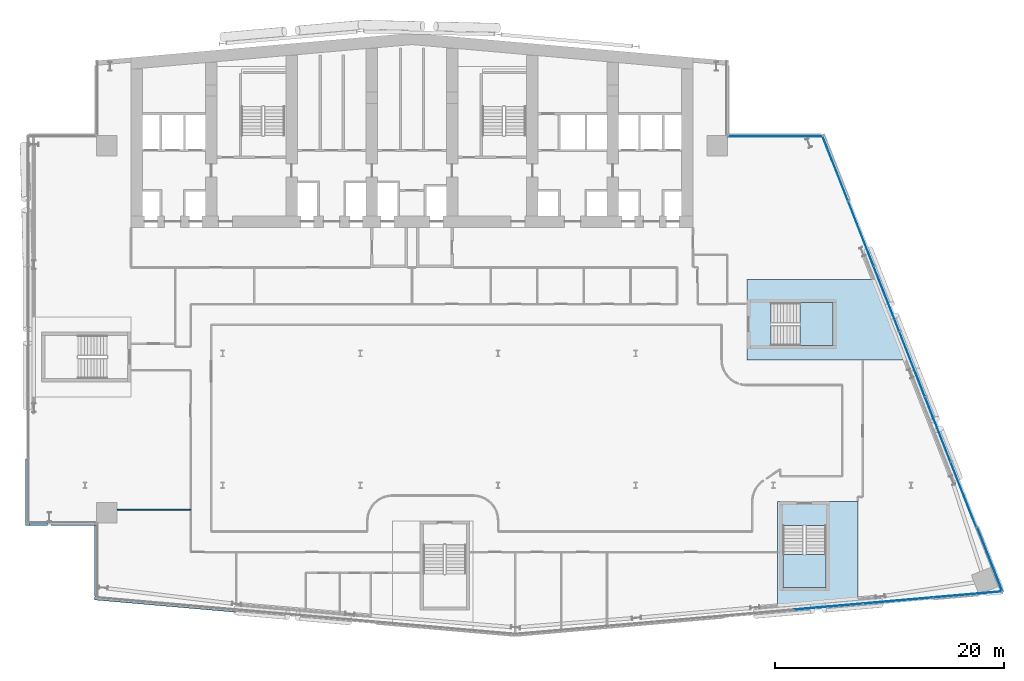
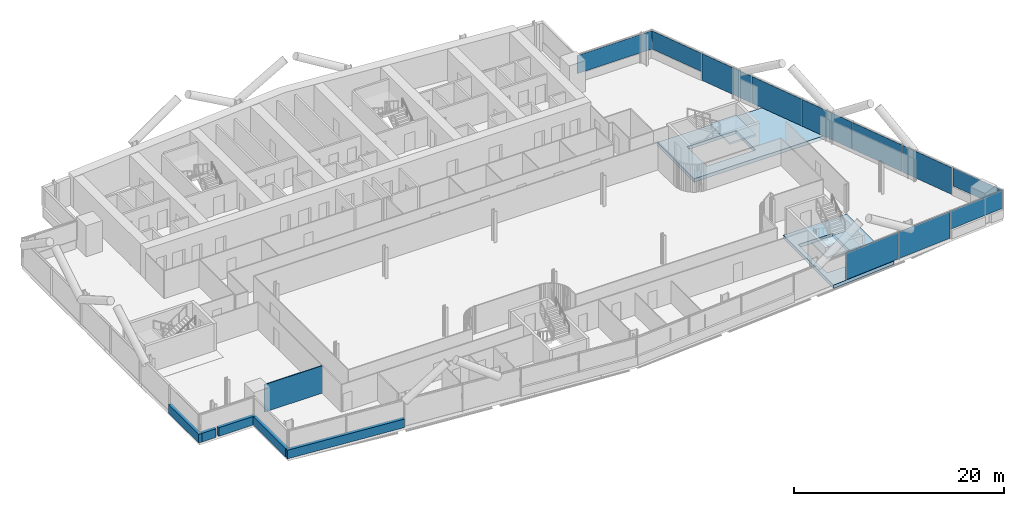
# One storey, part 13 of 30: 11 plates, 6 walls, 4 slabs, 5 elements without a shape of their own.
"""IFC4 building model written with IfcOpenShell, lengths in metres."""

from ifc_helpers import new_model, si_unit, direction, frame, frame_2d, origin, origin_2d, place, context, subcontext, project, spatial, polyline, rectangle, outline, extrude, material, layer, layer_set, type_object, element, aggregate, save


model = new_model("IFC4")

# Units and contexts
model_context = context("Model", 3, precision=1e-05, world=origin(), true_north=direction((0.0, 1.0)))
body_context = subcontext(model_context, "Body", "Model", "MODEL_VIEW")
ifc_project = project(units=[si_unit("LENGTHUNIT", "METRE"), si_unit("AREAUNIT", "SQUARE_METRE"), si_unit("VOLUMEUNIT", "CUBIC_METRE"), si_unit("PLANEANGLEUNIT", "RADIAN"), si_unit("MASSUNIT", "GRAM", prefix="KILO")], contexts=[model_context])

# Site, building, storey
site_placement = place(None, origin())
site = spatial("IfcSite", under=ifc_project, at=site_placement, CompositionType="ELEMENT")
building_placement = place(site_placement, origin())
building = spatial("IfcBuilding", under=site, at=building_placement, Name="Wharfspan Tower", CompositionType="ELEMENT")
storey_placement = place(building_placement, frame((0.0, 0.0, 107.5)))
storey = spatial("IfcBuildingStorey", under=building, at=storey_placement, Name="L24", CompositionType="ELEMENT", Elevation=107.5)

# Curtain wall, plate
ifc_material_1 = material(Name="Aluminium 6063-T6", Category="aluminium")
curtain_wall_type_1 = type_object("IfcCurtainWallType", Name="CURTAIN WALL FACETED FRONT", PredefinedType="NOTDEFINED", material=ifc_material_1)
curtain_wall_1_placement = place(storey_placement, origin())
curtain_wall_1 = element("IfcCurtainWall", 1, at=curtain_wall_1_placement, inside=storey, type_object=curtain_wall_type_1, Name="Curtain wall S2", PredefinedType="NOTDEFINED")
ifc_material_2 = material(Name="Glass clear low-iron double glazing", Category="glass")
ifc_layer_1 = layer(ifc_material_2, 0.040039)
ifc_layer_set_1 = layer_set([ifc_layer_1], Name="Glass clear low-iron double glazing")
plate_type_1 = type_object("IfcPlateType", Name="GLASS PANEL FACETED FRONT 40", PredefinedType="CURTAIN_PANEL", material=ifc_layer_set_1)
plate_1_placement = place(storey_placement, frame((88.944092, 1.99292, 1.0), z_axis=(0.0, 0.0, 1.0), x_axis=(0.996198, 0.087156, 0.0)))
plate_1 = element("IfcPlate", 2, at=plate_1_placement, type_object=plate_type_1, Name="Curtain wall S2 panel 7", PredefinedType="CURTAIN_PANEL", context=body_context, shape_type="SweptSolid", body=[
    extrude(rectangle(XDim=6.004639, YDim=0.040039, at=origin_2d()), origin(), (0.0, 0.0, 1.0), 2.120117),
])

# Curtain wall, plates
curtain_wall_type_2 = type_object("IfcCurtainWallType", Name="CURTAIN WALL PROW AND END", PredefinedType="NOTDEFINED", material=ifc_material_1)
curtain_wall_2_placement = place(storey_placement, origin())
curtain_wall_2 = element("IfcCurtainWall", 3, at=curtain_wall_2_placement, inside=storey, type_object=curtain_wall_type_2, Name="Curtain wall E", PredefinedType="NOTDEFINED")
ifc_layer_2 = layer(ifc_material_2, 0.040039)
ifc_layer_set_2 = layer_set([ifc_layer_2], Name="Glass clear low-iron double glazing")
plate_type_2 = type_object("IfcPlateType", Name="GLASS PANEL PROW AND END 40", PredefinedType="CURTAIN_PANEL", material=ifc_layer_set_2)
plate_2_placement = place(storey_placement, frame((90.877197, 5.056885, 1.0), z_axis=(0.0, 0.0, 1.0), x_axis=(-0.365778, 0.930702, 0.0)))
plate_2 = element("IfcPlate", 4, at=plate_2_placement, type_object=plate_type_2, Name="Curtain wall E panel 1", PredefinedType="CURTAIN_PANEL", context=body_context, shape_type="SweptSolid", body=[
    extrude(rectangle(XDim=6.019043, YDim=0.040039, at=origin_2d()), origin(), (0.0, 0.0, 1.0), 2.120117),
])
plate_3_placement = place(storey_placement, frame((77.406494, 39.114014, 1.0), z_axis=(0.0, 0.0, 1.0), x_axis=(-0.365778, 0.930702, 0.0)))
plate_3 = element("IfcPlate", 5, at=plate_3_placement, type_object=plate_type_2, Name="Curtain wall E panel 7", PredefinedType="CURTAIN_PANEL", context=body_context, shape_type="SweptSolid", body=[
    extrude(rectangle(XDim=6.019043, YDim=0.040039, at=origin_2d()), origin(), (0.0, 0.0, 1.0), 2.120117),
])

# Curtain wall, plate
curtain_wall_3_placement = place(storey_placement, origin())
curtain_wall_3 = element("IfcCurtainWall", 6, at=curtain_wall_3_placement, inside=storey, type_object=curtain_wall_type_2, Name="Curtain wall NRE-H", PredefinedType="NOTDEFINED")
plate_4_placement = place(storey_placement, frame((72.178955, 41.919922, 1.0), z_axis=(0.0, 0.0, 1.0), x_axis=(-1.0, 0.0, 0.0)))
plate_4 = element("IfcPlate", 7, at=plate_4_placement, type_object=plate_type_2, Name="Curtain wall NRE-H panel 1", PredefinedType="CURTAIN_PANEL", context=body_context, shape_type="SweptSolid", body=[
    extrude(rectangle(XDim=8.238037, YDim=0.040039, at=origin_2d()), origin(), (0.0, 0.0, 1.0), 2.120117),
])
aggregate(curtain_wall_3, [plate_4])

# Plate
ifc_material_3 = material(Name="Aluminium composite opaque insulated panel", Category="aluminium")
ifc_layer_3 = layer(ifc_material_3, 0.040039)
ifc_layer_set_3 = layer_set([ifc_layer_3], Name="Aluminium composite opaque insulated panel")
plate_type_3 = type_object("IfcPlateType", Name="INFILL PANEL FACETED FRONT OPAQUE 40", PredefinedType="SHEET", material=ifc_layer_set_3)
plate_5_placement = place(storey_placement, frame((76.816162, 0.931885, 0.0), z_axis=(0.0, 0.0, 1.0), x_axis=(0.996198, 0.087156, 0.0)))
plate_5 = element("IfcPlate", 8, at=plate_5_placement, type_object=plate_type_3, Name="Curtain wall S2 panel 5", PredefinedType="SHEET", context=body_context, shape_type="SweptSolid", body=[
    extrude(rectangle(XDim=6.034668, YDim=0.040039, at=origin_2d()), origin(), (0.0, 0.0, 1.0), 3.120117),
])

plate_6_placement = place(storey_placement, frame((82.887695, 1.462891, 0.0), z_axis=(0.0, 0.0, 1.0), x_axis=(0.996198, 0.087156, 0.0)))
plate_6 = element("IfcPlate", 9, at=plate_6_placement, type_object=plate_type_3, Name="Curtain wall S2 panel 6", PredefinedType="SHEET", context=body_context, shape_type="SweptSolid", body=[
    extrude(rectangle(XDim=6.034668, YDim=0.040039, at=origin_2d()), origin(), (0.0, 0.0, 1.0), 3.120117),
])

aggregate(curtain_wall_1, [plate_5, plate_6, plate_1])

ifc_layer_4 = layer(ifc_material_3, 0.040039)
ifc_layer_set_4 = layer_set([ifc_layer_4], Name="Aluminium composite opaque insulated panel")
plate_type_4 = type_object("IfcPlateType", Name="INFILL PANEL PROW AND END OPAQUE 40", PredefinedType="SHEET", material=ifc_layer_set_4)
plate_7_placement = place(storey_placement, frame((88.57373, 10.699219, 0.0), z_axis=(0.0, 0.0, 1.0), x_axis=(-0.365778, 0.930702, 0.0)))
plate_7 = element("IfcPlate", 10, at=plate_7_placement, type_object=plate_type_4, Name="Curtain wall E panel 2", PredefinedType="SHEET", context=body_context, shape_type="SweptSolid", body=[
    extrude(rectangle(XDim=6.049072, YDim=0.040039, at=origin_2d()), origin(), (0.0, 0.0, 1.0), 3.120117),
])

plate_8_placement = place(storey_placement, frame((86.339111, 16.38501, 0.0), z_axis=(0.0, 0.0, 1.0), x_axis=(-0.365778, 0.930702, 0.0)))
plate_8 = element("IfcPlate", 11, at=plate_8_placement, type_object=plate_type_4, Name="Curtain wall E panel 3", PredefinedType="SHEET", context=body_context, shape_type="SweptSolid", body=[
    extrude(rectangle(XDim=6.049072, YDim=0.040039, at=origin_2d()), origin(), (0.0, 0.0, 1.0), 3.120117),
])

plate_9_placement = place(storey_placement, frame((84.104492, 22.070801, 0.0), z_axis=(0.0, 0.0, 1.0), x_axis=(-0.365778, 0.930702, 0.0)))
plate_9 = element("IfcPlate", 12, at=plate_9_placement, type_object=plate_type_4, Name="Curtain wall E panel 4", PredefinedType="SHEET", context=body_context, shape_type="SweptSolid", body=[
    extrude(rectangle(XDim=6.049072, YDim=0.040039, at=origin_2d()), origin(), (0.0, 0.0, 1.0), 3.120117),
])

plate_10_placement = place(storey_placement, frame((81.870117, 27.756348, 0.0), z_axis=(0.0, 0.0, 1.0), x_axis=(-0.365778, 0.930702, 0.0)))
plate_10 = element("IfcPlate", 13, at=plate_10_placement, type_object=plate_type_4, Name="Curtain wall E panel 5", PredefinedType="SHEET", context=body_context, shape_type="SweptSolid", body=[
    extrude(rectangle(XDim=6.049072, YDim=0.040039, at=origin_2d()), origin(), (0.0, 0.0, 1.0), 3.120117),
])

plate_11_placement = place(storey_placement, frame((79.635498, 33.442139, 0.0), z_axis=(0.0, 0.0, 1.0), x_axis=(-0.365778, 0.930702, 0.0)))
plate_11 = element("IfcPlate", 14, at=plate_11_placement, type_object=plate_type_4, Name="Curtain wall E panel 6", PredefinedType="SHEET", context=body_context, shape_type="SweptSolid", body=[
    extrude(rectangle(XDim=6.049072, YDim=0.040039, at=origin_2d()), origin(), (0.0, 0.0, 1.0), 3.120117),
])

aggregate(curtain_wall_2, [plate_2, plate_7, plate_8, plate_9, plate_10, plate_11, plate_3])

# Slabs
ifc_material_4 = material(Name="Concrete C40/50", Category="concrete")
ifc_layer_5 = layer(ifc_material_4, 0.399902)
ifc_layer_set_5 = layer_set([ifc_layer_5], Name="Concrete C40/50")
slab_type_1 = type_object("IfcSlabType", Name="Post-tensioned flat slab 400", PredefinedType="FLOOR", material=ifc_layer_set_5)
slab_1_placement = place(storey_placement, frame((0.0, 0.0, -0.400146)))
element("IfcSlab", 15, at=slab_1_placement, inside=storey, type_object=slab_type_1, Name="Core floor slab L24 part 5", PredefinedType="FLOOR", context=body_context, shape_type="SweptSolid", body=[
    extrude(outline(polyline([(79.365967, 10.094727), (76.891113, 10.094727), (72.541016, 10.094727), (72.365967, 10.094727), (72.365967, 0.482178), (79.365967, 1.094727), (79.365967, 10.094727)]), holes=[polyline([(76.591064, 7.996582), (76.591309, 7.996582), (76.591309, 7.996582), (76.591553, 7.996582), (76.591797, 7.996582), (76.591797, 7.996338), (76.592041, 7.996338), (76.592285, 7.996094), (76.592285, 7.996094), (76.592529, 7.99585), (76.592773, 7.99585), (76.592773, 7.995605), (76.593018, 7.995361), (76.593018, 7.995117), (76.593018, 7.995117), (76.593018, 7.994873), (76.593018, 7.994629), (76.593018, 2.594727), (76.593018, 2.594482), (76.593018, 2.594238), (76.593018, 2.593994), (76.593018, 2.593994), (76.592773, 2.59375), (76.592773, 2.593506), (76.592529, 2.593506), (76.592285, 2.593262), (76.592285, 2.593018), (76.592041, 2.593018), (76.591797, 2.593018), (76.591797, 2.592773), (76.591553, 2.592773), (76.591309, 2.592773), (76.591309, 2.592773), (76.591064, 2.592773), (72.841064, 2.592773), (72.84082, 2.592773), (72.840576, 2.592773), (72.840332, 2.592773), (72.840088, 2.592773), (72.840088, 2.593018), (72.839844, 2.593018), (72.8396, 2.593018), (72.8396, 2.593262), (72.8396, 2.593506), (72.839355, 2.593506), (72.839111, 2.59375), (72.839111, 2.593994), (72.839111, 2.593994), (72.839111, 2.594238), (72.839111, 2.594482), (72.839111, 2.594727), (72.839111, 7.994629), (72.839111, 7.994873), (72.839111, 7.995117), (72.839111, 7.995117), (72.839111, 7.995361), (72.839111, 7.995605), (72.839355, 7.99585), (72.8396, 7.99585), (72.8396, 7.996094), (72.8396, 7.996094), (72.839844, 7.996338), (72.840088, 7.996338), (72.840088, 7.996582), (72.840332, 7.996582), (72.840576, 7.996582), (72.84082, 7.996582), (72.841064, 7.996582), (76.591064, 7.996582)])]), origin(), (0.0, 0.0, 1.0), 0.400146),
])
slab_2_placement = place(storey_placement, frame((0.0, 0.0, -0.400146)))
element("IfcSlab", 16, at=slab_2_placement, inside=storey, type_object=slab_type_1, Name="Core floor slab L24 part 6", PredefinedType="FLOOR", context=body_context, shape_type="SweptSolid", body=[
    extrude(outline(polyline([(81.290283, 29.449951), (69.69043, 29.449951), (69.69043, 27.725098), (69.69043, 23.375), (69.69043, 22.449951), (84.041504, 22.449951), (81.290283, 29.449951)]), holes=[polyline([(71.790283, 23.673096), (71.790283, 23.673096), (71.790039, 23.673096), (71.789795, 23.673096), (71.789551, 23.673096), (71.789551, 23.673096), (71.789307, 23.67334), (71.789062, 23.673584), (71.789062, 23.673584), (71.788818, 23.673584), (71.788818, 23.673828), (71.788574, 23.674072), (71.788574, 23.674316), (71.788574, 23.674316), (71.78833, 23.674561), (71.78833, 23.674805), (71.78833, 23.675049), (71.78833, 27.425049), (71.78833, 27.425293), (71.78833, 27.425293), (71.788574, 27.425537), (71.788574, 27.425781), (71.788574, 27.425781), (71.788818, 27.426025), (71.788818, 27.42627), (71.789062, 27.426514), (71.789062, 27.426514), (71.789307, 27.426758), (71.789551, 27.426758), (71.789551, 27.426758), (71.789795, 27.427002), (71.790039, 27.427002), (71.790283, 27.427002), (71.790283, 27.427002), (77.19043, 27.427002), (77.190674, 27.427002), (77.190918, 27.427002), (77.190918, 27.427002), (77.191162, 27.426758), (77.191406, 27.426758), (77.191406, 27.426758), (77.19165, 27.426514), (77.191895, 27.426514), (77.191895, 27.42627), (77.192139, 27.426025), (77.192139, 27.425781), (77.192139, 27.425781), (77.192383, 27.425537), (77.192383, 27.425293), (77.192383, 27.425293), (77.192383, 27.425049), (77.192383, 23.675049), (77.192383, 23.674805), (77.192383, 23.674561), (77.192383, 23.674316), (77.192139, 23.674316), (77.192139, 23.674072), (77.192139, 23.673828), (77.191895, 23.673584), (77.191895, 23.673584), (77.19165, 23.673584), (77.191406, 23.67334), (77.191406, 23.673096), (77.191162, 23.673096), (77.190918, 23.673096), (77.190918, 23.673096), (77.190674, 23.673096), (77.19043, 23.673096), (71.790283, 23.673096)])]), origin(), (0.0, 0.0, 1.0), 0.400146),
])

# Stair, slab
stair_type = type_object("IfcStairType", Name="Half-turn stair 20 risers 180 mm", PredefinedType="HALF_TURN_STAIR", material=ifc_material_4)
stair_1_placement = place(storey_placement, origin())
stair_1 = element("IfcStair", 17, at=stair_1_placement, inside=storey, type_object=stair_type, Name="L24 stair ST5", PredefinedType="HALF_TURN_STAIR")
ifc_layer_6 = layer(ifc_material_4, 0.199951)
ifc_layer_set_6 = layer_set([ifc_layer_6], Name="Concrete C40/50")
slab_type_2 = type_object("IfcSlabType", Name="Stair landing 200", PredefinedType="LANDING", material=ifc_layer_set_6)
slab_3_placement = place(storey_placement, frame((0.0, 0.0, 1.599854)))
slab_3 = element("IfcSlab", 18, at=slab_3_placement, type_object=slab_type_2, Name="ST5 landing 1", PredefinedType="LANDING", context=body_context, shape_type="SweptSolid", body=[
    extrude(outline(polyline([(72.841064, 5.474609), (72.841064, 2.594727), (76.591064, 2.594727), (76.591064, 5.474609), (72.841064, 5.474609)])), origin(), (0.0, 0.0, 1.0), 0.200195),
])
aggregate(stair_1, [slab_3])

stair_2_placement = place(storey_placement, origin())
stair_2 = element("IfcStair", 19, at=stair_2_placement, inside=storey, type_object=stair_type, Name="L24 stair ST6", PredefinedType="HALF_TURN_STAIR")
slab_4_placement = place(storey_placement, frame((0.0, 0.0, 1.599854)))
slab_4 = element("IfcSlab", 20, at=slab_4_placement, type_object=slab_type_2, Name="ST6 landing 1", PredefinedType="LANDING", context=body_context, shape_type="SweptSolid", body=[
    extrude(outline(polyline([(74.310303, 23.675049), (77.19043, 23.675049), (77.19043, 27.425049), (74.310303, 27.425049), (74.310303, 23.675049)])), origin(), (0.0, 0.0, 1.0), 0.200195),
])
aggregate(stair_2, [slab_4])

# Walls
ifc_material_5 = material(Name="Gypsum board on steel studs", Category="steel")
ifc_layer_7 = layer(ifc_material_5, 0.100098)
ifc_layer_set_7 = layer_set([ifc_layer_7], Name="Gypsum board on steel studs")
wall_type_1 = type_object("IfcWallType", Name="Compartment wall 100 EI 60", PredefinedType="PARTITIONING", material=ifc_layer_set_7)
wall_1_placement = place(storey_placement, frame((14.810059, 9.370117, 0.0), z_axis=(0.0, 0.0, 1.0), x_axis=(1.0, 0.0, 0.0)))
element("IfcWall", 21, at=wall_1_placement, inside=storey, type_object=wall_type_1, Name="Partition L24.w003", PredefinedType="PARTITIONING", context=body_context, shape_type="SweptSolid", body=[
    extrude(rectangle(XDim=6.389893, YDim=0.100098, at=frame_2d((3.194824, 0.0))), origin(), (0.0, 0.0, 1.0), 3.199951),
])
ifc_layer_8 = layer(ifc_material_4, 0.350098)
ifc_layer_set_8 = layer_set([ifc_layer_8], Name="Concrete C40/50")
wall_type_2 = type_object("IfcWallType", Name="SPANDREL EXPOSED CONCRETE 350", PredefinedType="SOLIDWALL", material=ifc_layer_set_8)
wall_2_placement = place(storey_placement, frame((12.835205, 1.68457, 0.0), z_axis=(0.0, 0.0, 1.0), x_axis=(0.996192, -0.087173, 0.0)))
element("IfcWall", 22, at=wall_2_placement, inside=storey, type_object=wall_type_2, Name="Spandrel upstand L24 S1 1", PredefinedType="SOLIDWALL", context=body_context, shape_type="SweptSolid", body=[
    extrude(rectangle(XDim=12.348145, YDim=0.350098, at=frame_2d((6.174072, 0.0))), origin(), (0.0, 0.0, 1.0), 1.0),
])
wall_3_placement = place(storey_placement, frame((6.995117, 13.803223, 0.0), z_axis=(0.0, 0.0, 1.0), x_axis=(0.0, -1.0, 0.0)))
element("IfcWall", 23, at=wall_3_placement, inside=storey, type_object=wall_type_2, Name="Spandrel upstand L24 W", PredefinedType="SOLIDWALL", context=body_context, shape_type="SweptSolid", body=[
    extrude(rectangle(XDim=5.783203, YDim=0.350098, at=frame_2d((2.891602, 0.0))), origin(), (0.0, 0.0, 1.0), 1.0),
])
wall_4_placement = place(storey_placement, frame((7.169922, 8.195068, 0.0), z_axis=(0.0, 0.0, 1.0), x_axis=(1.0, 0.0, 0.0)))
element("IfcWall", 24, at=wall_4_placement, inside=storey, type_object=wall_type_2, Name="Spandrel upstand L24 NFW-H", PredefinedType="SOLIDWALL", context=body_context, shape_type="SweptSolid", body=[
    extrude(rectangle(XDim=1.563232, YDim=0.350098, at=frame_2d((0.781738, 0.0))), origin(), (0.0, 0.0, 1.0), 1.0),
])
wall_5_placement = place(storey_placement, frame((9.036133, 8.195068, 0.0), z_axis=(0.0, 0.0, 1.0), x_axis=(1.0, 0.0, 0.0)))
element("IfcWall", 25, at=wall_5_placement, inside=storey, type_object=wall_type_2, Name="Spandrel upstand L24 NFW-H 2", PredefinedType="SOLIDWALL", context=body_context, shape_type="SweptSolid", body=[
    extrude(rectangle(XDim=3.963867, YDim=0.350098, at=frame_2d((1.981934, 0.0))), origin(), (0.0, 0.0, 1.0), 1.0),
])
wall_6_placement = place(storey_placement, frame((12.995117, 8.02002, 0.0), z_axis=(0.0, 0.0, 1.0), x_axis=(0.0, -1.0, 0.0)))
element("IfcWall", 26, at=wall_6_placement, inside=storey, type_object=wall_type_2, Name="Spandrel upstand L24 NFW-V", PredefinedType="SOLIDWALL", context=body_context, shape_type="SweptSolid", body=[
    extrude(rectangle(XDim=6.161133, YDim=0.350098, at=frame_2d((3.080566, 0.0))), origin(), (0.0, 0.0, 1.0), 1.0),
])

save(model, "model.ifc")
